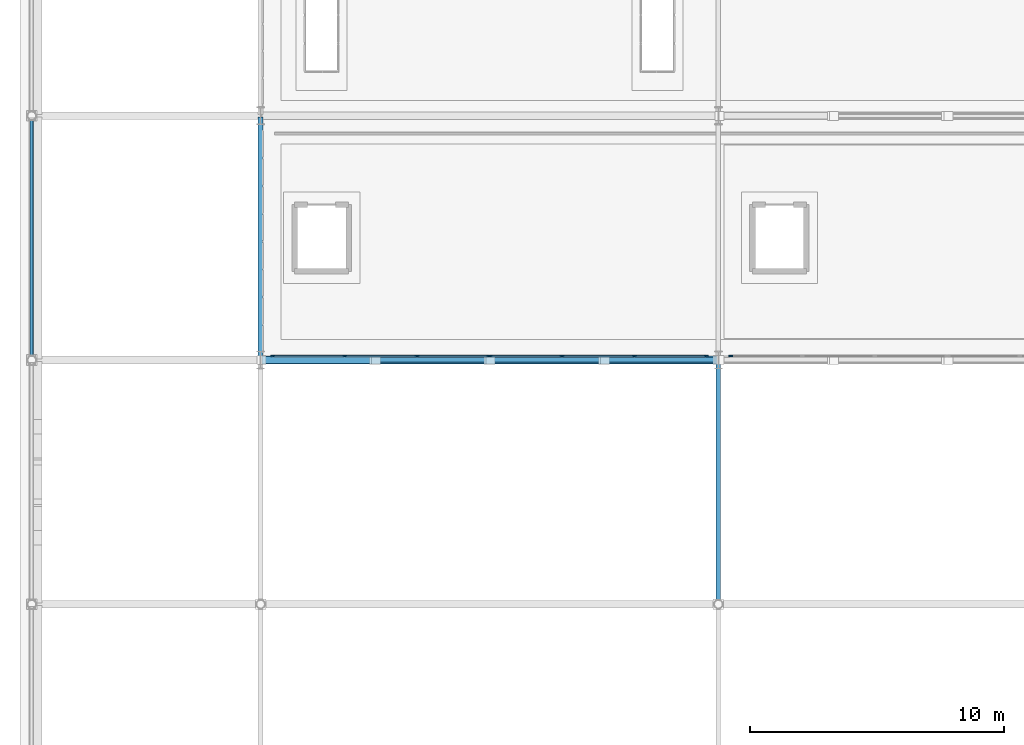
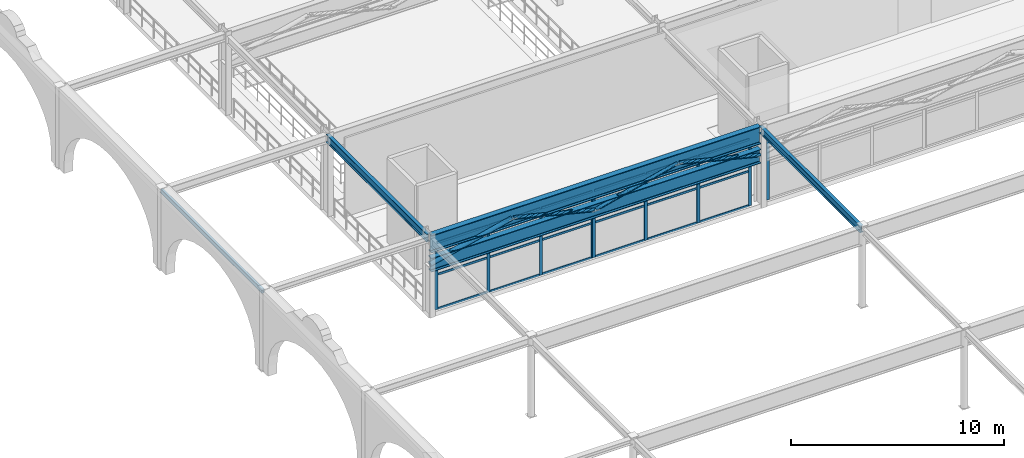
# One storey, part 24 of 125: 32 members, 4 beams, 3 elements without a shape of their own.
"""IFC4 building model written with IfcOpenShell, lengths in metres."""

from ifc_helpers import new_model, si_unit, direction, frame, origin, origin_2d, place, context, subcontext, project, spatial, rectangle, hollow_rectangle, hollow_circle, i_section, extrude, material, layer, layer_set, material_profile, profile_set, type_object, element, aggregate, save


model = new_model("IFC4")

# Units and contexts
model_context = context("Model", 3, precision=1e-05, world=origin(), true_north=direction((0.0, 1.0)))
body_context = subcontext(model_context, "Body", "Model", "MODEL_VIEW")
ifc_project = project(units=[si_unit("LENGTHUNIT", "METRE"), si_unit("AREAUNIT", "SQUARE_METRE"), si_unit("VOLUMEUNIT", "CUBIC_METRE"), si_unit("PLANEANGLEUNIT", "RADIAN"), si_unit("MASSUNIT", "GRAM", prefix="KILO")], contexts=[model_context])

# Site, building, storey
site_placement = place(None, origin())
site = spatial("IfcSite", under=ifc_project, at=site_placement, CompositionType="ELEMENT")
building_placement = place(site_placement, origin())
building = spatial("IfcBuilding", under=site, at=building_placement, Name="Myrtia Square Station", CompositionType="ELEMENT")
storey_placement = place(building_placement, frame((0.0, 0.0, 6.0)))
storey = spatial("IfcBuildingStorey", under=building, at=storey_placement, Name="L01", CompositionType="ELEMENT", Elevation=6.0)

# Beams
ifc_material_1 = material(Name="Steel S355", Category="steel")
ifc_material_profile_1 = material_profile(ifc_material_1, i_section(OverallWidth=0.179931640625, OverallDepth=0.39990234375, WebThickness=0.008544921875, FlangeThickness=0.013427734375, FilletRadius=0.02099609375, at=origin_2d()), Name="IPE 400")
ifc_profile_set_1 = profile_set([ifc_material_profile_1], Name="Steel S355")
beam_type_1 = type_object("IfcBeamType", Name="BM-IPE400", PredefinedType="BEAM", material=ifc_profile_set_1)
beam_1_placement = place(storey_placement, frame((27.0, 28.85009765625, 4.35498046875), z_axis=(0.0, 1.0, 0.0), x_axis=(-1.0, 0.0, 0.0)))
element("IfcBeam", 1, at=beam_1_placement, inside=storey, type_object=beam_type_1, Name="Structural girder BMY-L01-0498", PredefinedType="BEAM", context=body_context, shape_type="SweptSolid", body=[
    extrude(i_section(OverallWidth=0.179931640625, OverallDepth=0.39990234375, WebThickness=0.008544921875, FlangeThickness=0.013427734375, FilletRadius=0.02099609375, at=origin_2d()), origin(), (0.0, 0.0, 1.0), 9.5),
])
ifc_material_profile_2 = material_profile(ifc_material_1, i_section(OverallWidth=0.18994140625, OverallDepth=0.449951171875, WebThickness=0.009521484375, FlangeThickness=0.0146484375, FilletRadius=0.02099609375, at=origin_2d()), Name="IPE 450")
ifc_profile_set_2 = profile_set([ifc_material_profile_2], Name="Steel S355")
beam_type_2 = type_object("IfcBeamType", Name="BM-IPE450", PredefinedType="BEAM", material=ifc_profile_set_2)
beam_2_placement = place(storey_placement, frame((9.0, 38.449951171875, 4.330078125), z_axis=(0.0, 1.0, 0.0), x_axis=(-1.0, 0.0, 0.0)))
element("IfcBeam", 2, at=beam_2_placement, inside=storey, type_object=beam_type_2, Name="Structural girder BMY-L01-0487", PredefinedType="BEAM", context=body_context, shape_type="SweptSolid", body=[
    extrude(i_section(OverallWidth=0.18994140625, OverallDepth=0.449951171875, WebThickness=0.009521484375, FlangeThickness=0.0146484375, FilletRadius=0.02099609375, at=origin_2d()), origin(), (0.0, 0.0, 1.0), 9.5),
])

# Members
ifc_material_profile_3 = material_profile(ifc_material_1, hollow_circle(Radius=0.109619140625, WallThickness=0.012451171875, at=origin_2d()), Name="CHS 219.1x12.5")
ifc_profile_set_3 = profile_set([ifc_material_profile_3], Name="Steel S355")
member_type_1 = type_object("IfcMemberType", Name="BRC-CHS219", PredefinedType="BRACE", material=ifc_profile_set_3)
for number, where, z_axis, x_axis, name in (
    (3, (13.5400390625, 38.39990234375, 3.949951171875), (0.97040677758, 0.0, -0.241476056838), (0.0, 1.0, 0.0), "Warren roof truss 01 diagonal 2"),
    (4, (18.0400390625, 38.39990234375, 2.85009765625), (0.97040677758, 0.0, 0.241476056838), (0.0, 1.0, 0.0), "Warren roof truss 01 diagonal 3"),
    (5, (22.5400390625, 38.39990234375, 3.949951171875), (0.97040677758, 0.0, -0.241476056838), (0.0, 1.0, 0.0), "Warren roof truss 01 diagonal 4"),
):
    element("IfcMember", number, at=place(storey_placement, frame(where, z_axis=z_axis, x_axis=x_axis)), inside=storey, type_object=member_type_1, Name=name, PredefinedType="BRACE", context=body_context, shape_type="SweptSolid", body=[
        extrude(hollow_circle(Radius=0.109619140625, WallThickness=0.012451171875, at=origin_2d()), origin(), (0.0, 0.0, 1.0), 4.5546875),
    ])
ifc_material_profile_4 = material_profile(ifc_material_1, hollow_circle(Radius=0.136474609375, WallThickness=0.01611328125, at=origin_2d()), Name="CHS 273x16")
ifc_profile_set_4 = profile_set([ifc_material_profile_4], Name="Steel S355")
member_type_2 = type_object("IfcMemberType", Name="BRC-CHS273", PredefinedType="BRACE", material=ifc_profile_set_4)
member_1_placement = place(storey_placement, frame((9.0400390625, 38.39990234375, 2.85009765625), z_axis=(0.97040677758, 0.0, 0.241476056838), x_axis=(0.0, 1.0, 0.0)))
element("IfcMember", 6, at=member_1_placement, inside=storey, type_object=member_type_2, Name="Warren roof truss 01 diagonal 1", PredefinedType="BRACE", context=body_context, shape_type="SweptSolid", body=[
    extrude(hollow_circle(Radius=0.136474609375, WallThickness=0.01611328125, at=origin_2d()), origin(), (0.0, 0.0, 1.0), 4.5546875),
])
ifc_material_profile_5 = material_profile(ifc_material_1, i_section(OverallWidth=0.300048828125, OverallDepth=0.800048828125, WebThickness=0.017578125, FlangeThickness=0.032958984375, FilletRadius=0.030029296875, at=origin_2d()), Name="HEB 800")
ifc_profile_set_5 = profile_set([ifc_material_profile_5], Name="Steel S355")
member_type_3 = type_object("IfcMemberType", Name="CHD-HEB800", PredefinedType="CHORD", material=ifc_profile_set_5)
member_2_placement = place(storey_placement, frame((9.050048828125, 38.39990234375, 2.85009765625), z_axis=(1.0, 0.0, 0.0), x_axis=(0.0, 1.0, 0.0)))
element("IfcMember", 7, at=member_2_placement, inside=storey, type_object=member_type_3, Name="Warren roof truss 01 bottom chord 1", PredefinedType="CHORD", context=body_context, shape_type="SweptSolid", body=[
    extrude(i_section(OverallWidth=0.300048828125, OverallDepth=0.800048828125, WebThickness=0.017578125, FlangeThickness=0.032958984375, FilletRadius=0.030029296875, at=origin_2d()), origin(), (0.0, 0.0, 1.0), 17.89990234375),
])

# Curtain wall, members
ifc_material_2 = material(Name="Dark bronze anodised aluminium", Category="aluminium")
ifc_layer = layer(ifc_material_2, 0.159912109375, Name="Dark bronze anodised aluminium")
ifc_layer_set = layer_set([ifc_layer], Name="Dark bronze anodised aluminium")
curtain_wall_type = type_object("IfcCurtainWallType", Name="CW-TYPE-18-855x385", PredefinedType="USERDEFINED", material=ifc_layer_set)
curtain_wall_1_placement = place(storey_placement, origin())
curtain_wall_1 = element("IfcCurtainWall", 8, at=curtain_wall_1_placement, inside=storey, type_object=curtain_wall_type, Name="Concourse curtain wall CW-L01-059", ObjectType="CONCOURSE CURTAIN WALL", PredefinedType="USERDEFINED")
ifc_material_profile_6 = material_profile(ifc_material_2, rectangle(XDim=0.06005859375, YDim=0.159912109375, at=origin_2d()), Name="ALU-M 60x160")
ifc_profile_set_6 = profile_set([ifc_material_profile_6], Name="Dark bronze anodised aluminium")
member_type_4 = type_object("IfcMemberType", Name="CWM-60x160", PredefinedType="MULLION", material=ifc_profile_set_6)
member_3_placement = place(storey_placement, frame((9.47998046875, 38.550048828125, 0.0), z_axis=(0.0, 0.0, 1.0), x_axis=(0.0, 1.0, 0.0)))
member_3 = element("IfcMember", 9, at=member_3_placement, type_object=member_type_4, Name="CW-059 mullion 1", PredefinedType="MULLION", context=body_context, shape_type="SweptSolid", body=[
    extrude(rectangle(XDim=0.06005859375, YDim=0.159912109375, at=origin_2d()), origin(), (0.0, 0.0, 1.0), 3.85009765625),
])
member_4_placement = place(storey_placement, frame((12.300048828125, 38.550048828125, 0.0), z_axis=(0.0, 0.0, 1.0), x_axis=(0.0, 1.0, 0.0)))
member_4 = element("IfcMember", 10, at=member_4_placement, type_object=member_type_4, Name="CW-059 mullion 2", PredefinedType="MULLION", context=body_context, shape_type="SweptSolid", body=[
    extrude(rectangle(XDim=0.06005859375, YDim=0.159912109375, at=origin_2d()), origin(), (0.0, 0.0, 1.0), 3.85009765625),
])
member_5_placement = place(storey_placement, frame((15.14990234375, 38.550048828125, 0.0), z_axis=(0.0, 0.0, 1.0), x_axis=(0.0, 1.0, 0.0)))
member_5 = element("IfcMember", 11, at=member_5_placement, type_object=member_type_4, Name="CW-059 mullion 3", PredefinedType="MULLION", context=body_context, shape_type="SweptSolid", body=[
    extrude(rectangle(XDim=0.06005859375, YDim=0.159912109375, at=origin_2d()), origin(), (0.0, 0.0, 1.0), 3.85009765625),
])
member_6_placement = place(storey_placement, frame((17.969970703125, 38.550048828125, 0.0), z_axis=(0.0, 0.0, 1.0), x_axis=(0.0, 1.0, 0.0)))
member_6 = element("IfcMember", 12, at=member_6_placement, type_object=member_type_4, Name="CW-059 mullion 4", PredefinedType="MULLION", context=body_context, shape_type="SweptSolid", body=[
    extrude(rectangle(XDim=0.06005859375, YDim=0.159912109375, at=origin_2d()), origin(), (0.0, 0.0, 1.0), 3.85009765625),
])

curtain_wall_2_placement = place(storey_placement, origin())
curtain_wall_2 = element("IfcCurtainWall", 13, at=curtain_wall_2_placement, inside=storey, type_object=curtain_wall_type, Name="Concourse curtain wall CW-L01-061", ObjectType="CONCOURSE CURTAIN WALL", PredefinedType="USERDEFINED")
member_7_placement = place(storey_placement, frame((18.030029296875, 38.550048828125, 0.0), z_axis=(0.0, 0.0, 1.0), x_axis=(0.0, 1.0, 0.0)))
member_7 = element("IfcMember", 14, at=member_7_placement, type_object=member_type_4, Name="CW-061 mullion 1", PredefinedType="MULLION", context=body_context, shape_type="SweptSolid", body=[
    extrude(rectangle(XDim=0.06005859375, YDim=0.159912109375, at=origin_2d()), origin(), (0.0, 0.0, 1.0), 3.85009765625),
])
member_8_placement = place(storey_placement, frame((20.85009765625, 38.550048828125, 0.0), z_axis=(0.0, 0.0, 1.0), x_axis=(0.0, 1.0, 0.0)))
member_8 = element("IfcMember", 15, at=member_8_placement, type_object=member_type_4, Name="CW-061 mullion 2", PredefinedType="MULLION", context=body_context, shape_type="SweptSolid", body=[
    extrude(rectangle(XDim=0.06005859375, YDim=0.159912109375, at=origin_2d()), origin(), (0.0, 0.0, 1.0), 3.85009765625),
])
member_9_placement = place(storey_placement, frame((23.699951171875, 38.550048828125, 0.0), z_axis=(0.0, 0.0, 1.0), x_axis=(0.0, 1.0, 0.0)))
member_9 = element("IfcMember", 16, at=member_9_placement, type_object=member_type_4, Name="CW-061 mullion 3", PredefinedType="MULLION", context=body_context, shape_type="SweptSolid", body=[
    extrude(rectangle(XDim=0.06005859375, YDim=0.159912109375, at=origin_2d()), origin(), (0.0, 0.0, 1.0), 3.85009765625),
])
member_10_placement = place(storey_placement, frame((26.52001953125, 38.550048828125, 0.0), z_axis=(0.0, 0.0, 1.0), x_axis=(0.0, 1.0, 0.0)))
member_10 = element("IfcMember", 17, at=member_10_placement, type_object=member_type_4, Name="CW-061 mullion 4", PredefinedType="MULLION", context=body_context, shape_type="SweptSolid", body=[
    extrude(rectangle(XDim=0.06005859375, YDim=0.159912109375, at=origin_2d()), origin(), (0.0, 0.0, 1.0), 3.85009765625),
])

# Curtain wall, member
curtain_wall_3_placement = place(storey_placement, origin())
curtain_wall_3 = element("IfcCurtainWall", 18, at=curtain_wall_3_placement, inside=storey, type_object=curtain_wall_type, Name="Concourse curtain wall CW-L01-063", ObjectType="CONCOURSE CURTAIN WALL", PredefinedType="USERDEFINED")
member_11_placement = place(storey_placement, frame((27.47998046875, 38.550048828125, 0.0), z_axis=(0.0, 0.0, 1.0), x_axis=(0.0, 1.0, 0.0)))
member_11 = element("IfcMember", 19, at=member_11_placement, type_object=member_type_4, Name="CW-063 mullion 1", PredefinedType="MULLION", context=body_context, shape_type="SweptSolid", body=[
    extrude(rectangle(XDim=0.06005859375, YDim=0.159912109375, at=origin_2d()), origin(), (0.0, 0.0, 1.0), 3.85009765625),
])
aggregate(curtain_wall_3, [member_11])

# Member
ifc_material_profile_7 = material_profile(ifc_material_2, rectangle(XDim=0.06005859375, YDim=0.1201171875, at=origin_2d()), Name="ALU-T 60x120")
ifc_profile_set_7 = profile_set([ifc_material_profile_7], Name="Dark bronze anodised aluminium")
member_type_5 = type_object("IfcMemberType", Name="CWT-60x120", PredefinedType="USERDEFINED", material=ifc_profile_set_7)
member_12_placement = place(storey_placement, frame((9.510009765625, 38.550048828125, 0.030029296875), z_axis=(1.0, 0.0, 0.0), x_axis=(0.0, 1.0, 0.0)))
member_12 = element("IfcMember", 20, at=member_12_placement, type_object=member_type_5, Name="CW-059 transom 1.1", ObjectType="TRANSOM", PredefinedType="USERDEFINED", context=body_context, shape_type="SweptSolid", body=[
    extrude(rectangle(XDim=0.06005859375, YDim=0.1201171875, at=origin_2d()), origin(), (0.0, 0.0, 1.0), 2.760009765625),
])

member_13_placement = place(storey_placement, frame((9.510009765625, 38.550048828125, 2.001953125), z_axis=(1.0, 0.0, 0.0), x_axis=(0.0, 1.0, 0.0)))
member_13 = element("IfcMember", 21, at=member_13_placement, type_object=member_type_5, Name="CW-059 transom 1.2", ObjectType="TRANSOM", PredefinedType="USERDEFINED", context=body_context, shape_type="SweptSolid", body=[
    extrude(rectangle(XDim=0.06005859375, YDim=0.1201171875, at=origin_2d()), origin(), (0.0, 0.0, 1.0), 2.760009765625),
])

member_14_placement = place(storey_placement, frame((9.510009765625, 38.550048828125, 3.820068359375), z_axis=(1.0, 0.0, 0.0), x_axis=(0.0, 1.0, 0.0)))
member_14 = element("IfcMember", 22, at=member_14_placement, type_object=member_type_5, Name="CW-059 transom 1.3", ObjectType="TRANSOM", PredefinedType="USERDEFINED", context=body_context, shape_type="SweptSolid", body=[
    extrude(rectangle(XDim=0.06005859375, YDim=0.1201171875, at=origin_2d()), origin(), (0.0, 0.0, 1.0), 2.760009765625),
])

member_15_placement = place(storey_placement, frame((12.330078125, 38.550048828125, 0.030029296875), z_axis=(1.0, 0.0, 0.0), x_axis=(0.0, 1.0, 0.0)))
member_15 = element("IfcMember", 23, at=member_15_placement, type_object=member_type_5, Name="CW-059 transom 2.1", ObjectType="TRANSOM", PredefinedType="USERDEFINED", context=body_context, shape_type="SweptSolid", body=[
    extrude(rectangle(XDim=0.06005859375, YDim=0.1201171875, at=origin_2d()), origin(), (0.0, 0.0, 1.0), 2.7900390625),
])

member_16_placement = place(storey_placement, frame((12.330078125, 38.550048828125, 2.001953125), z_axis=(1.0, 0.0, 0.0), x_axis=(0.0, 1.0, 0.0)))
member_16 = element("IfcMember", 24, at=member_16_placement, type_object=member_type_5, Name="CW-059 transom 2.2", ObjectType="TRANSOM", PredefinedType="USERDEFINED", context=body_context, shape_type="SweptSolid", body=[
    extrude(rectangle(XDim=0.06005859375, YDim=0.1201171875, at=origin_2d()), origin(), (0.0, 0.0, 1.0), 2.7900390625),
])

member_17_placement = place(storey_placement, frame((12.330078125, 38.550048828125, 3.820068359375), z_axis=(1.0, 0.0, 0.0), x_axis=(0.0, 1.0, 0.0)))
member_17 = element("IfcMember", 25, at=member_17_placement, type_object=member_type_5, Name="CW-059 transom 2.3", ObjectType="TRANSOM", PredefinedType="USERDEFINED", context=body_context, shape_type="SweptSolid", body=[
    extrude(rectangle(XDim=0.06005859375, YDim=0.1201171875, at=origin_2d()), origin(), (0.0, 0.0, 1.0), 2.7900390625),
])

member_18_placement = place(storey_placement, frame((15.179931640625, 38.550048828125, 0.030029296875), z_axis=(1.0, 0.0, 0.0), x_axis=(0.0, 1.0, 0.0)))
member_18 = element("IfcMember", 26, at=member_18_placement, type_object=member_type_5, Name="CW-059 transom 3.1", ObjectType="TRANSOM", PredefinedType="USERDEFINED", context=body_context, shape_type="SweptSolid", body=[
    extrude(rectangle(XDim=0.06005859375, YDim=0.1201171875, at=origin_2d()), origin(), (0.0, 0.0, 1.0), 2.760009765625),
])

member_19_placement = place(storey_placement, frame((15.179931640625, 38.550048828125, 2.001953125), z_axis=(1.0, 0.0, 0.0), x_axis=(0.0, 1.0, 0.0)))
member_19 = element("IfcMember", 27, at=member_19_placement, type_object=member_type_5, Name="CW-059 transom 3.2", ObjectType="TRANSOM", PredefinedType="USERDEFINED", context=body_context, shape_type="SweptSolid", body=[
    extrude(rectangle(XDim=0.06005859375, YDim=0.1201171875, at=origin_2d()), origin(), (0.0, 0.0, 1.0), 2.760009765625),
])

member_20_placement = place(storey_placement, frame((15.179931640625, 38.550048828125, 3.820068359375), z_axis=(1.0, 0.0, 0.0), x_axis=(0.0, 1.0, 0.0)))
member_20 = element("IfcMember", 28, at=member_20_placement, type_object=member_type_5, Name="CW-059 transom 3.3", ObjectType="TRANSOM", PredefinedType="USERDEFINED", context=body_context, shape_type="SweptSolid", body=[
    extrude(rectangle(XDim=0.06005859375, YDim=0.1201171875, at=origin_2d()), origin(), (0.0, 0.0, 1.0), 2.760009765625),
])

aggregate(curtain_wall_1, [member_3, member_4, member_5, member_6, member_12, member_13, member_14, member_15, member_16, member_17, member_18, member_19, member_20])

member_21_placement = place(storey_placement, frame((18.06005859375, 38.550048828125, 0.030029296875), z_axis=(1.0, 0.0, 0.0), x_axis=(0.0, 1.0, 0.0)))
member_21 = element("IfcMember", 29, at=member_21_placement, type_object=member_type_5, Name="CW-061 transom 1.1", ObjectType="TRANSOM", PredefinedType="USERDEFINED", context=body_context, shape_type="SweptSolid", body=[
    extrude(rectangle(XDim=0.06005859375, YDim=0.1201171875, at=origin_2d()), origin(), (0.0, 0.0, 1.0), 2.760009765625),
])

member_22_placement = place(storey_placement, frame((18.06005859375, 38.550048828125, 2.001953125), z_axis=(1.0, 0.0, 0.0), x_axis=(0.0, 1.0, 0.0)))
member_22 = element("IfcMember", 30, at=member_22_placement, type_object=member_type_5, Name="CW-061 transom 1.2", ObjectType="TRANSOM", PredefinedType="USERDEFINED", context=body_context, shape_type="SweptSolid", body=[
    extrude(rectangle(XDim=0.06005859375, YDim=0.1201171875, at=origin_2d()), origin(), (0.0, 0.0, 1.0), 2.760009765625),
])

member_23_placement = place(storey_placement, frame((18.06005859375, 38.550048828125, 3.820068359375), z_axis=(1.0, 0.0, 0.0), x_axis=(0.0, 1.0, 0.0)))
member_23 = element("IfcMember", 31, at=member_23_placement, type_object=member_type_5, Name="CW-061 transom 1.3", ObjectType="TRANSOM", PredefinedType="USERDEFINED", context=body_context, shape_type="SweptSolid", body=[
    extrude(rectangle(XDim=0.06005859375, YDim=0.1201171875, at=origin_2d()), origin(), (0.0, 0.0, 1.0), 2.760009765625),
])

member_24_placement = place(storey_placement, frame((20.8798828125, 38.550048828125, 0.030029296875), z_axis=(1.0, 0.0, 0.0), x_axis=(0.0, 1.0, 0.0)))
member_24 = element("IfcMember", 32, at=member_24_placement, type_object=member_type_5, Name="CW-061 transom 2.1", ObjectType="TRANSOM", PredefinedType="USERDEFINED", context=body_context, shape_type="SweptSolid", body=[
    extrude(rectangle(XDim=0.06005859375, YDim=0.1201171875, at=origin_2d()), origin(), (0.0, 0.0, 1.0), 2.7900390625),
])

member_25_placement = place(storey_placement, frame((20.8798828125, 38.550048828125, 2.001953125), z_axis=(1.0, 0.0, 0.0), x_axis=(0.0, 1.0, 0.0)))
member_25 = element("IfcMember", 33, at=member_25_placement, type_object=member_type_5, Name="CW-061 transom 2.2", ObjectType="TRANSOM", PredefinedType="USERDEFINED", context=body_context, shape_type="SweptSolid", body=[
    extrude(rectangle(XDim=0.06005859375, YDim=0.1201171875, at=origin_2d()), origin(), (0.0, 0.0, 1.0), 2.7900390625),
])

member_26_placement = place(storey_placement, frame((20.8798828125, 38.550048828125, 3.820068359375), z_axis=(1.0, 0.0, 0.0), x_axis=(0.0, 1.0, 0.0)))
member_26 = element("IfcMember", 34, at=member_26_placement, type_object=member_type_5, Name="CW-061 transom 2.3", ObjectType="TRANSOM", PredefinedType="USERDEFINED", context=body_context, shape_type="SweptSolid", body=[
    extrude(rectangle(XDim=0.06005859375, YDim=0.1201171875, at=origin_2d()), origin(), (0.0, 0.0, 1.0), 2.7900390625),
])

member_27_placement = place(storey_placement, frame((23.72998046875, 38.550048828125, 0.030029296875), z_axis=(1.0, 0.0, 0.0), x_axis=(0.0, 1.0, 0.0)))
member_27 = element("IfcMember", 35, at=member_27_placement, type_object=member_type_5, Name="CW-061 transom 3.1", ObjectType="TRANSOM", PredefinedType="USERDEFINED", context=body_context, shape_type="SweptSolid", body=[
    extrude(rectangle(XDim=0.06005859375, YDim=0.1201171875, at=origin_2d()), origin(), (0.0, 0.0, 1.0), 2.760009765625),
])

member_28_placement = place(storey_placement, frame((23.72998046875, 38.550048828125, 2.001953125), z_axis=(1.0, 0.0, 0.0), x_axis=(0.0, 1.0, 0.0)))
member_28 = element("IfcMember", 36, at=member_28_placement, type_object=member_type_5, Name="CW-061 transom 3.2", ObjectType="TRANSOM", PredefinedType="USERDEFINED", context=body_context, shape_type="SweptSolid", body=[
    extrude(rectangle(XDim=0.06005859375, YDim=0.1201171875, at=origin_2d()), origin(), (0.0, 0.0, 1.0), 2.760009765625),
])

member_29_placement = place(storey_placement, frame((23.72998046875, 38.550048828125, 3.820068359375), z_axis=(1.0, 0.0, 0.0), x_axis=(0.0, 1.0, 0.0)))
member_29 = element("IfcMember", 37, at=member_29_placement, type_object=member_type_5, Name="CW-061 transom 3.3", ObjectType="TRANSOM", PredefinedType="USERDEFINED", context=body_context, shape_type="SweptSolid", body=[
    extrude(rectangle(XDim=0.06005859375, YDim=0.1201171875, at=origin_2d()), origin(), (0.0, 0.0, 1.0), 2.760009765625),
])

aggregate(curtain_wall_2, [member_7, member_8, member_9, member_10, member_21, member_22, member_23, member_24, member_25, member_26, member_27, member_28, member_29])

# Beams
ifc_material_profile_8 = material_profile(ifc_material_1, hollow_rectangle(XDim=0.14990234375, YDim=0.25, WallThickness=0.012451171875, InnerFilletRadius=0.012451171875, OuterFilletRadius=0.02490234375, at=origin_2d()), Name="RHS 250x150x12.5")
ifc_profile_set_8 = profile_set([ifc_material_profile_8], Name="Steel S355")
beam_type_3 = type_object("IfcBeamType", Name="SPN-RHS250", PredefinedType="SPANDREL", material=ifc_profile_set_8)
beam_3_placement = place(storey_placement, frame((0.0, 38.449951171875, 4.429931640625), z_axis=(0.0, 1.0, 0.0), x_axis=(-1.0, 0.0, 0.0)))
element("IfcBeam", 38, at=beam_3_placement, inside=storey, type_object=beam_type_3, Name="Structural girder SPNY-L01-0143", PredefinedType="SPANDREL", context=body_context, shape_type="SweptSolid", body=[
    extrude(hollow_rectangle(XDim=0.14990234375, YDim=0.25, WallThickness=0.012451171875, InnerFilletRadius=0.012451171875, OuterFilletRadius=0.02490234375, at=origin_2d()), origin(), (0.0, 0.0, 1.0), 9.5),
])
ifc_material_profile_9 = material_profile(ifc_material_1, i_section(OverallWidth=0.300048828125, OverallDepth=1.0, WebThickness=0.01904296875, FlangeThickness=0.035888671875, FilletRadius=0.030029296875, at=origin_2d()), Name="HEB 1000")
ifc_profile_set_9 = profile_set([ifc_material_profile_9], Name="Steel S355")
beam_type_4 = type_object("IfcBeamType", Name="TG-HEB1000", PredefinedType="USERDEFINED", material=ifc_profile_set_9)
beam_4_placement = place(storey_placement, frame((9.050048828125, 38.39990234375, 4.054931640625), z_axis=(1.0, 0.0, 0.0), x_axis=(0.0, 1.0, 0.0)))
element("IfcBeam", 39, at=beam_4_placement, inside=storey, type_object=beam_type_4, Name="Structural girder TG-L01-0109", ObjectType="TRANSFER GIRDER", PredefinedType="USERDEFINED", context=body_context, shape_type="SweptSolid", body=[
    extrude(i_section(OverallWidth=0.300048828125, OverallDepth=1.0, WebThickness=0.01904296875, FlangeThickness=0.035888671875, FilletRadius=0.030029296875, at=origin_2d()), origin(), (0.0, 0.0, 1.0), 17.89990234375),
])

save(model, "model.ifc")
